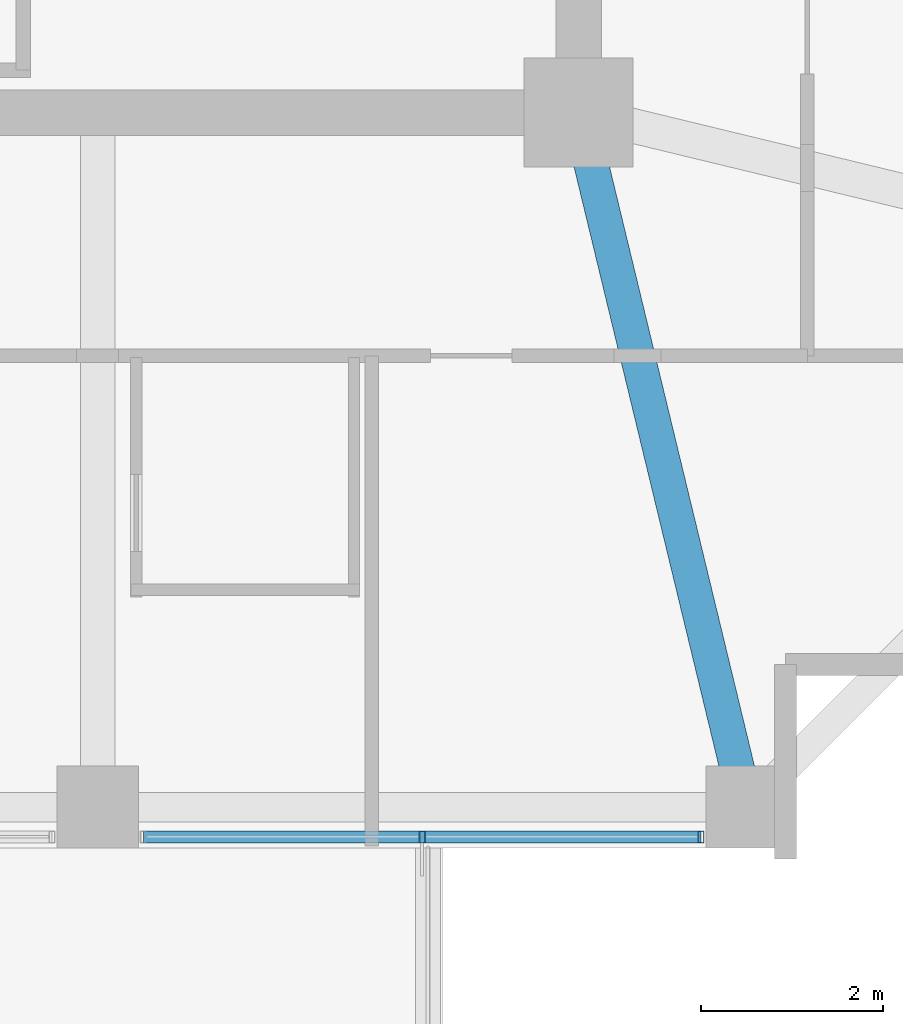
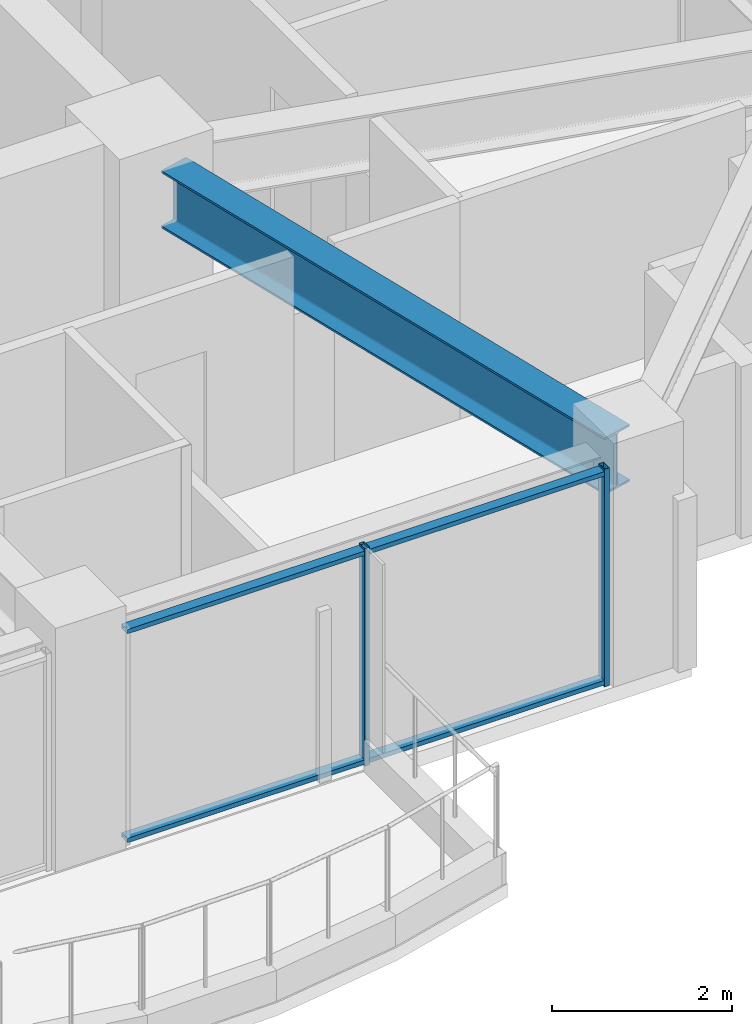
# One storey, part 8 of 31: 4 members, 1 beam, 1 element without a shape of its own.
"""IFC4 building model written with IfcOpenShell, lengths in metres."""

from ifc_helpers import new_model, si_unit, direction, frame, origin, origin_2d, place, context, subcontext, project, spatial, hollow_rectangle, i_section, extrude, material, material_profile, profile_set, type_object, element, aggregate, save


model = new_model("IFC4")

# Units and contexts
model_context = context("Model", 3, precision=1e-05, world=origin(), true_north=direction((0.0, 1.0)))
body_context = subcontext(model_context, "Body", "Model", "MODEL_VIEW")
ifc_project = project(units=[si_unit("LENGTHUNIT", "METRE"), si_unit("AREAUNIT", "SQUARE_METRE"), si_unit("VOLUMEUNIT", "CUBIC_METRE"), si_unit("PLANEANGLEUNIT", "RADIAN"), si_unit("MASSUNIT", "GRAM", prefix="KILO")], contexts=[model_context])

# Site, building, storey
site_placement = place(None, origin())
site = spatial("IfcSite", under=ifc_project, at=site_placement, CompositionType="ELEMENT")
building_placement = place(site_placement, origin())
building = spatial("IfcBuilding", under=site, at=building_placement, Name="Kolvaren Belvedere", CompositionType="ELEMENT")
storey_placement = place(building_placement, frame((0.0, 0.0, 144.800048828125)))
storey = spatial("IfcBuildingStorey", under=building, at=storey_placement, Name="L42", CompositionType="ELEMENT", Elevation=144.800048828125)

# Beam
ifc_material_1 = material(Name="Structural steel ASTM A992 Grade 50", Category="steel")
ifc_material_profile_1 = material_profile(ifc_material_1, i_section(OverallWidth=0.381103515625, OverallDepth=0.77294921875, WebThickness=0.0166015625, FlangeThickness=0.027099609375, FilletRadius=0.02392578125, at=origin_2d()), Name="W30X173")
ifc_profile_set_1 = profile_set([ifc_material_profile_1], Name="Structural steel ASTM A992 Grade 50")
beam_type = type_object("IfcBeamType", Name="BM-GIRD-W30X173", PredefinedType="BEAM", material=ifc_profile_set_1)
beam_placement = place(storey_placement, frame((10.029296875, -10.4345703125, 2.5634765625), z_axis=(0.235062749937, -0.971980197119, 0.0), x_axis=(0.971980197119, 0.235062749937, 0.0)))
element("IfcBeam", 1, at=beam_placement, inside=storey, type_object=beam_type, Name="L42 Corner Core-to-Perimeter Girder CC2-S4", PredefinedType="BEAM", context=body_context, shape_type="SweptSolid", body=[
    extrude(i_section(OverallWidth=0.381103515625, OverallDepth=0.77294921875, WebThickness=0.0166015625, FlangeThickness=0.027099609375, FilletRadius=0.02392578125, at=origin_2d()), origin(), (0.0, 0.0, 1.0), 7.140625),
])

# Curtain wall, members
ifc_material_2 = material(Name="Anodised pale-metal aluminium AA 6063-T6", Category="aluminium")
curtain_wall_type = type_object("IfcCurtainWallType", Name="CW-Z3-WAIST", PredefinedType="NOTDEFINED", material=ifc_material_2)
curtain_wall_placement = place(storey_placement, origin())
curtain_wall = element("IfcCurtainWall", 2, at=curtain_wall_placement, inside=storey, type_object=curtain_wall_type, Name="L42 Unitised Curtain Wall FCW-L42-S1-B1", PredefinedType="NOTDEFINED")
ifc_material_3 = material(Name="Anodised pale-metal aluminium AA 6063-T6", Category="aluminium")
ifc_material_profile_2 = material_profile(ifc_material_3, hollow_rectangle(XDim=0.06494140625, YDim=0.1298828125, WallThickness=0.00390625, at=origin_2d()), Name="ALU-MUL-130X65")
ifc_profile_set_2 = profile_set([ifc_material_profile_2], Name="Anodised pale-metal aluminium AA 6063-T6")
member_type_1 = type_object("IfcMemberType", Name="CW-MUL-130", PredefinedType="MULLION", material=ifc_profile_set_2)
member_1_placement = place(storey_placement, frame((11.24755859375, -17.8798828125, 0.0), z_axis=(0.0, 0.0, 1.0), x_axis=(1.0, 0.0, 0.0)))
member_1 = element("IfcMember", 3, at=member_1_placement, type_object=member_type_1, Name="FCW-L42-S1-B1 Unitised Mullion 1", PredefinedType="MULLION", context=body_context, shape_type="SweptSolid", body=[
    extrude(hollow_rectangle(XDim=0.06494140625, YDim=0.1298828125, WallThickness=0.00390625, at=origin_2d()), origin(), (0.0, 0.0, 1.0), 2.949951171875),
])
member_2_placement = place(storey_placement, frame((8.175048828125, -17.8798828125, 0.0), z_axis=(0.0, 0.0, 1.0), x_axis=(1.0, 0.0, 0.0)))
member_2 = element("IfcMember", 4, at=member_2_placement, type_object=member_type_1, Name="FCW-L42-S1-B1 Unitised Mullion 2", PredefinedType="MULLION", context=body_context, shape_type="SweptSolid", body=[
    extrude(hollow_rectangle(XDim=0.06494140625, YDim=0.1298828125, WallThickness=0.00390625, at=origin_2d()), origin(), (0.0, 0.0, 1.0), 2.949951171875),
])
ifc_material_4 = material(Name="Anodised pale-metal aluminium AA 6063-T6", Category="aluminium")
ifc_material_profile_3 = material_profile(ifc_material_4, hollow_rectangle(XDim=0.06005859375, YDim=0.1298828125, WallThickness=0.00390625, at=origin_2d()), Name="ALU-TRN-130X60")
ifc_profile_set_3 = profile_set([ifc_material_profile_3], Name="Anodised pale-metal aluminium AA 6063-T6")
member_type_2 = type_object("IfcMemberType", Name="CW-TRN-130", PredefinedType="USERDEFINED", material=ifc_profile_set_3)
member_3_placement = place(storey_placement, frame((11.24755859375, -17.8798828125, 0.06005859375), z_axis=(-1.0, 0.0, 0.0), x_axis=(0.0, 0.0, 1.0)))
member_3 = element("IfcMember", 5, at=member_3_placement, type_object=member_type_2, Name="FCW-L42-S1-B1 Sill Transom", ObjectType="TRANSOM", PredefinedType="USERDEFINED", context=body_context, shape_type="SweptSolid", body=[
    extrude(hollow_rectangle(XDim=0.06005859375, YDim=0.1298828125, WallThickness=0.00390625, at=origin_2d()), origin(), (0.0, 0.0, 1.0), 6.14501953125),
])
member_4_placement = place(storey_placement, frame((11.24755859375, -17.8798828125, 2.889892578125), z_axis=(-1.0, 0.0, 0.0), x_axis=(0.0, 0.0, 1.0)))
member_4 = element("IfcMember", 6, at=member_4_placement, type_object=member_type_2, Name="FCW-L42-S1-B1 Head Transom", ObjectType="TRANSOM", PredefinedType="USERDEFINED", context=body_context, shape_type="SweptSolid", body=[
    extrude(hollow_rectangle(XDim=0.06005859375, YDim=0.1298828125, WallThickness=0.00390625, at=origin_2d()), origin(), (0.0, 0.0, 1.0), 6.14501953125),
])
aggregate(curtain_wall, [member_1, member_2, member_3, member_4])

save(model, "model.ifc")
